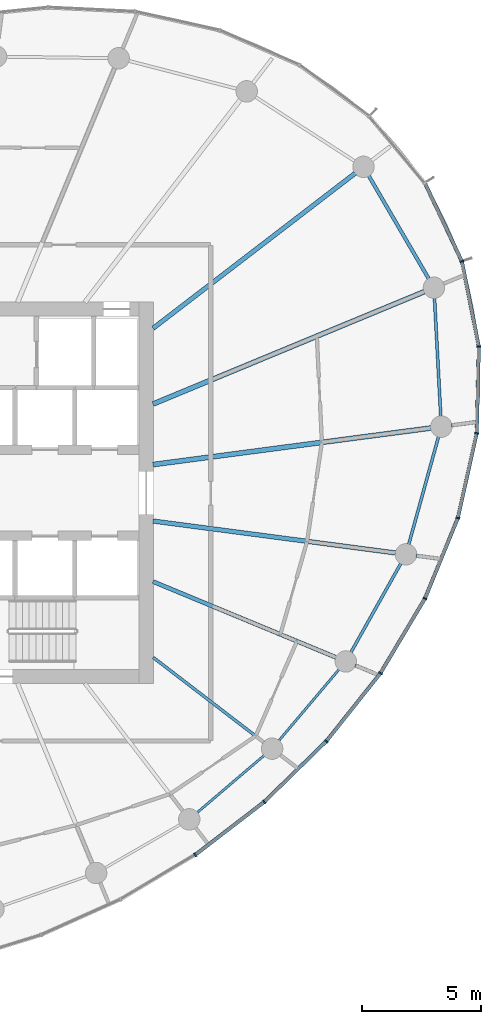
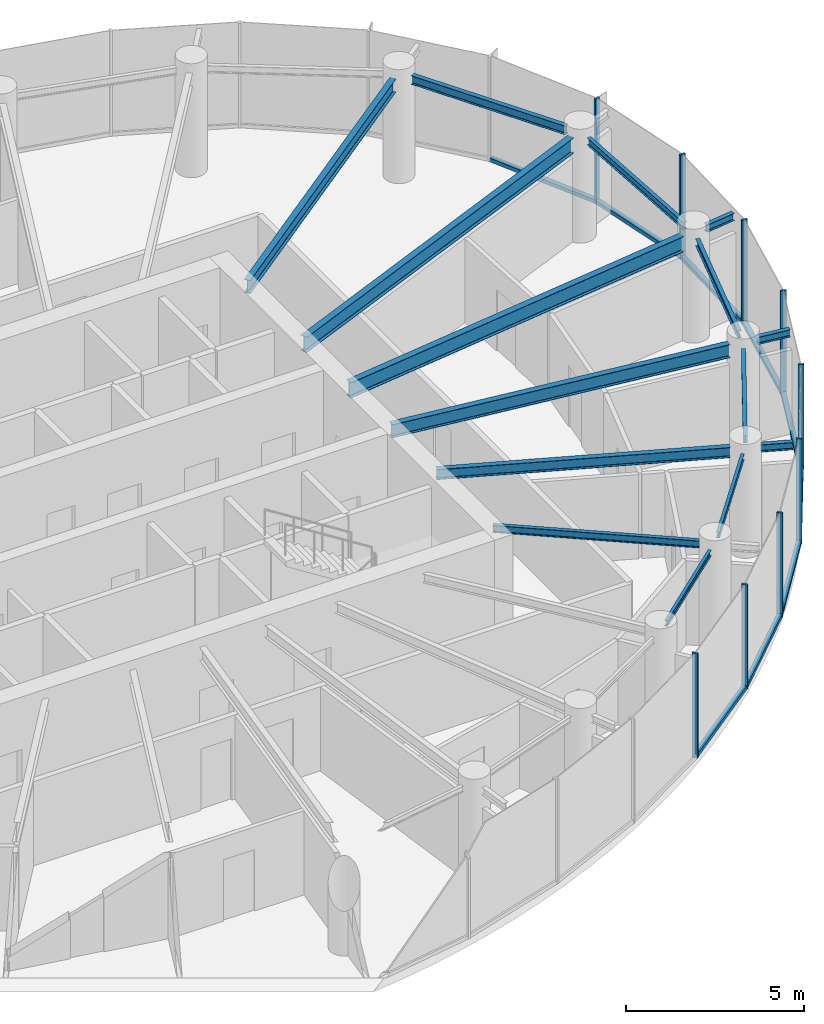
# One storey, part 5 of 15: 18 members, 15 beams, 2 elements without a shape of their own.
"""IFC4 building model written with IfcOpenShell, lengths in metres."""

from ifc_helpers import new_model, si_unit, direction, frame, origin, origin_2d, place, context, subcontext, project, spatial, rectangle, i_section, extrude, source, transform, mapped, material, layer, layer_set, material_profile, profile_set, type_object, element, aggregate, save


model = new_model("IFC4")

# Units and contexts
model_context = context("Model", 3, precision=1e-05, world=origin(), true_north=direction((0.0, 1.0)))
body_context = subcontext(model_context, "Body", "Model", "MODEL_VIEW")
ifc_project = project(units=[si_unit("LENGTHUNIT", "METRE"), si_unit("AREAUNIT", "SQUARE_METRE"), si_unit("VOLUMEUNIT", "CUBIC_METRE"), si_unit("PLANEANGLEUNIT", "RADIAN"), si_unit("MASSUNIT", "GRAM", prefix="KILO")], contexts=[model_context])

# Site, building, storey
site_placement = place(None, origin())
site = spatial("IfcSite", under=ifc_project, at=site_placement, CompositionType="ELEMENT")
building_placement = place(site_placement, origin())
building = spatial("IfcBuilding", under=site, at=building_placement, Name="Spindrift Exchange Tower", CompositionType="ELEMENT")
storey_placement = place(building_placement, frame((0.0, 0.0, 195.5)))
storey = spatial("IfcBuildingStorey", under=building, at=storey_placement, Name="L47", CompositionType="ELEMENT", Elevation=195.5)

# Beams
ifc_material_1 = material(Name="Steel Grade 300", Category="steel")
ifc_material_profile_1 = material_profile(ifc_material_1, i_section(OverallWidth=0.208984375, OverallDepth=0.528076171875, WebThickness=0.009521484375, FlangeThickness=0.01318359375, FilletRadius=0.013916015625, at=origin_2d()), Name="530UB82.0")
ifc_profile_set_1 = profile_set([ifc_material_profile_1], Name="Steel Grade 300")
beam_type_1 = type_object("IfcBeamType", Name="Floor Beam 530UB82.0 Steel Grade 300", PredefinedType="BEAM", material=ifc_profile_set_1)
shared_shape_1 = source(origin(), body_context, "Body", "SweptSolid", [
    extrude(i_section(OverallWidth=0.208984375, OverallDepth=0.528076171875, WebThickness=0.009521484375, FlangeThickness=0.01318359375, FilletRadius=0.013916015625, at=origin_2d()), origin(), (0.0, 0.0, 1.0), 11.75634765625),
])
beam_1_placement = place(storey_placement, frame((60.980224609375, 49.182373046875, 3.31591796875), z_axis=(0.991445811455, 0.13051897543, 0.0), x_axis=(-0.13051897543, 0.991445811455, 0.0)))
element("IfcBeam", 1, at=beam_1_placement, inside=storey, type_object=beam_type_1, Name="L47 radial beam R01A", PredefinedType="BEAM", context=body_context, shape_type="MappedRepresentation", body=[
    mapped(shared_shape_1, transform((0.0, 0.0, 0.0), scale=1.0)),
])
shared_shape_2 = source(origin(), body_context, "Body", "SweptSolid", [
    extrude(i_section(OverallWidth=0.208984375, OverallDepth=0.528076171875, WebThickness=0.009521484375, FlangeThickness=0.01318359375, FilletRadius=0.013916015625, at=origin_2d()), origin(), (0.0, 0.0, 1.0), 12.3115234375),
])
beam_2_placement = place(storey_placement, frame((60.9814453125, 51.72021484375, 3.31591796875), z_axis=(0.923878099838, 0.382686891126, 0.0), x_axis=(-0.382686891126, 0.923878099838, 0.0)))
element("IfcBeam", 2, at=beam_2_placement, inside=storey, type_object=beam_type_1, Name="L47 radial beam R02A", PredefinedType="BEAM", context=body_context, shape_type="MappedRepresentation", body=[
    mapped(shared_shape_2, transform((0.0, 0.0, 0.0), scale=1.0)),
])
ifc_material_profile_2 = material_profile(ifc_material_1, i_section(OverallWidth=0.18994140625, OverallDepth=0.4541015625, WebThickness=0.008544921875, FlangeThickness=0.0126953125, FilletRadius=0.013916015625, at=origin_2d()), Name="460UB67.1")
ifc_profile_set_2 = profile_set([ifc_material_profile_2], Name="Steel Grade 300")
beam_type_2 = type_object("IfcBeamType", Name="Floor Beam 460UB67.1 Steel Grade 300", PredefinedType="BEAM", material=ifc_profile_set_2)
shared_shape_3 = source(origin(), body_context, "Body", "SweptSolid", [
    extrude(i_section(OverallWidth=0.18994140625, OverallDepth=0.4541015625, WebThickness=0.008544921875, FlangeThickness=0.0126953125, FilletRadius=0.013916015625, at=origin_2d()), origin(), (0.0, 0.0, 1.0), 10.684814453125),
])
beam_3_placement = place(storey_placement, frame((60.984130859375, 54.893798828125, 3.35302734375), z_axis=(0.793357316898, 0.608756246559, 0.0), x_axis=(-0.608756246559, 0.793357316898, 0.0)))
element("IfcBeam", 3, at=beam_3_placement, inside=storey, type_object=beam_type_2, Name="L47 radial beam R03A", PredefinedType="BEAM", context=body_context, shape_type="MappedRepresentation", body=[
    mapped(shared_shape_3, transform((0.0, 0.0, 0.0), scale=1.0)),
])
ifc_material_profile_3 = material_profile(ifc_material_1, i_section(OverallWidth=0.1240234375, OverallDepth=0.248046875, WebThickness=0.0048828125, FlangeThickness=0.008056640625, FilletRadius=0.011962890625, at=origin_2d()), Name="250UB25.7")
ifc_profile_set_3 = profile_set([ifc_material_profile_3], Name="Steel Grade 300")
beam_type_3 = type_object("IfcBeamType", Name="Floor Beam 250UB25.7 Steel Grade 300", PredefinedType="BEAM", material=ifc_profile_set_3)
shared_shape_4 = source(origin(), body_context, "Body", "SweptSolid", [
    extrude(i_section(OverallWidth=0.1240234375, OverallDepth=0.248046875, WebThickness=0.0048828125, FlangeThickness=0.008056640625, FilletRadius=0.011962890625, at=origin_2d()), origin(), (0.0, 0.0, 1.0), 5.855712890625),
])
beam_4_placement = place(storey_placement, frame((60.984130859375, 41.106201171875, 3.4560546875), z_axis=(0.793362708479, -0.608749219954, 0.0), x_axis=(0.608749219954, 0.793362708479, 0.0)))
element("IfcBeam", 4, at=beam_4_placement, inside=storey, type_object=beam_type_3, Name="L47 radial beam R22A", PredefinedType="BEAM", context=body_context, shape_type="MappedRepresentation", body=[
    mapped(shared_shape_4, transform((0.0, 0.0, 0.0), scale=1.0)),
])
ifc_material_profile_4 = material_profile(ifc_material_1, i_section(OverallWidth=0.1708984375, OverallDepth=0.35205078125, WebThickness=0.0068359375, FlangeThickness=0.009765625, FilletRadius=0.013916015625, at=origin_2d()), Name="360UB44.7")
ifc_profile_set_4 = profile_set([ifc_material_profile_4], Name="Steel Grade 300")
beam_type_4 = type_object("IfcBeamType", Name="Floor Beam 360UB44.7 Steel Grade 300", PredefinedType="BEAM", material=ifc_profile_set_4)
shared_shape_5 = source(origin(), body_context, "Body", "SweptSolid", [
    extrude(i_section(OverallWidth=0.1708984375, OverallDepth=0.35205078125, WebThickness=0.0068359375, FlangeThickness=0.009765625, FilletRadius=0.013916015625, at=origin_2d()), origin(), (0.0, 0.0, 1.0), 8.3134765625),
])
beam_5_placement = place(storey_placement, frame((60.9814453125, 44.27978515625, 3.404052734375), z_axis=(0.923881179957, -0.382679455055, 0.0), x_axis=(0.382679455055, 0.923881179957, 0.0)))
element("IfcBeam", 5, at=beam_5_placement, inside=storey, type_object=beam_type_4, Name="L47 radial beam R23A", PredefinedType="BEAM", context=body_context, shape_type="MappedRepresentation", body=[
    mapped(shared_shape_5, transform((0.0, 0.0, 0.0), scale=1.0)),
])
shared_shape_6 = source(origin(), body_context, "Body", "SweptSolid", [
    extrude(i_section(OverallWidth=0.18994140625, OverallDepth=0.4541015625, WebThickness=0.008544921875, FlangeThickness=0.0126953125, FilletRadius=0.013916015625, at=origin_2d()), origin(), (0.0, 0.0, 1.0), 10.262451171875),
])
beam_6_placement = place(storey_placement, frame((60.980224609375, 46.817626953125, 3.35302734375), z_axis=(0.991446763371, -0.130511744304, 0.0), x_axis=(0.130511744304, 0.991446763371, 0.0)))
element("IfcBeam", 6, at=beam_6_placement, inside=storey, type_object=beam_type_2, Name="L47 radial beam R24A", PredefinedType="BEAM", context=body_context, shape_type="MappedRepresentation", body=[
    mapped(shared_shape_6, transform((0.0, 0.0, 0.0), scale=1.0)),
])
ifc_material_profile_5 = material_profile(ifc_material_1, i_section(OverallWidth=0.1240234375, OverallDepth=0.248046875, WebThickness=0.0048828125, FlangeThickness=0.008056640625, FilletRadius=0.011962890625, at=origin_2d()), Name="250UB25.7")
ifc_profile_set_5 = profile_set([ifc_material_profile_5], Name="Steel Grade 300")
beam_type_5 = type_object("IfcBeamType", Name="Edge Beam 250UB25.7 Steel Grade 300", PredefinedType="SPANDREL", material=ifc_profile_set_5)
shared_shape_7 = source(origin(), body_context, "Body", "SweptSolid", [
    extrude(i_section(OverallWidth=0.1240234375, OverallDepth=0.248046875, WebThickness=0.0048828125, FlangeThickness=0.008056640625, FilletRadius=0.011962890625, at=origin_2d()), origin(), (0.0, 0.0, 1.0), 4.971435546875),
])
beam_7_placement = place(storey_placement, frame((73.03955078125, 51.202392578125, 3.4560546875), z_axis=(-0.053038255124, 0.998592481192, 0.0), x_axis=(-0.998592481192, -0.053038255124, 0.0)))
element("IfcBeam", 7, at=beam_7_placement, inside=storey, type_object=beam_type_5, Name="L47 edge beam E01", PredefinedType="SPANDREL", context=body_context, shape_type="MappedRepresentation", body=[
    mapped(shared_shape_7, transform((0.0, 0.0, 0.0), scale=1.0)),
])
ifc_material_profile_6 = material_profile(ifc_material_1, i_section(OverallWidth=0.14892578125, OverallDepth=0.298095703125, WebThickness=0.005615234375, FlangeThickness=0.008056640625, FilletRadius=0.012939453125, at=origin_2d()), Name="310UB32.0")
ifc_profile_set_6 = profile_set([ifc_material_profile_6], Name="Steel Grade 300")
beam_type_6 = type_object("IfcBeamType", Name="Edge Beam 310UB32.0 Steel Grade 300", PredefinedType="SPANDREL", material=ifc_profile_set_6)
shared_shape_8 = source(origin(), body_context, "Body", "SweptSolid", [
    extrude(i_section(OverallWidth=0.14892578125, OverallDepth=0.298095703125, WebThickness=0.005615234375, FlangeThickness=0.008056640625, FilletRadius=0.012939453125, at=origin_2d()), origin(), (0.0, 0.0, 1.0), 5.0009765625),
])
beam_8_placement = place(storey_placement, frame((72.53662109375, 56.9677734375, 3.430908203125), z_axis=(-0.503512812094, 0.863987759205, 0.0), x_axis=(-0.863987759205, -0.503512812094, 0.0)))
element("IfcBeam", 8, at=beam_8_placement, inside=storey, type_object=beam_type_6, Name="L47 edge beam E02", PredefinedType="SPANDREL", context=body_context, shape_type="MappedRepresentation", body=[
    mapped(shared_shape_8, transform((0.0, 0.0, 0.0), scale=1.0)),
])
ifc_material_profile_7 = material_profile(ifc_material_1, i_section(OverallWidth=0.09912109375, OverallDepth=0.197998046875, WebThickness=0.00439453125, FlangeThickness=0.007080078125, FilletRadius=0.010986328125, at=origin_2d()), Name="200UB18.2")
ifc_profile_set_7 = profile_set([ifc_material_profile_7], Name="Steel Grade 300")
beam_type_7 = type_object("IfcBeamType", Name="Edge Beam 200UB18.2 Steel Grade 300", PredefinedType="SPANDREL", material=ifc_profile_set_7)
shared_shape_9 = source(origin(), body_context, "Body", "SweptSolid", [
    extrude(i_section(OverallWidth=0.09912109375, OverallDepth=0.197998046875, WebThickness=0.00439453125, FlangeThickness=0.007080078125, FilletRadius=0.010986328125, at=origin_2d()), origin(), (0.0, 0.0, 1.0), 3.703857421875),
])
beam_9_placement = place(storey_placement, frame((62.826416015625, 34.59619140625, 3.48095703125), z_axis=(0.7606692863, 0.64913961278, 0.0), x_axis=(-0.64913961278, 0.7606692863, 0.0)))
element("IfcBeam", 9, at=beam_9_placement, inside=storey, type_object=beam_type_7, Name="L47 edge beam E21", PredefinedType="SPANDREL", context=body_context, shape_type="MappedRepresentation", body=[
    mapped(shared_shape_9, transform((0.0, 0.0, 0.0), scale=1.0)),
])
shared_shape_10 = source(origin(), body_context, "Body", "SweptSolid", [
    extrude(i_section(OverallWidth=0.09912109375, OverallDepth=0.197998046875, WebThickness=0.00439453125, FlangeThickness=0.007080078125, FilletRadius=0.010986328125, at=origin_2d()), origin(), (0.0, 0.0, 1.0), 3.92431640625),
])
beam_10_placement = place(storey_placement, frame((66.24853515625, 37.608154296875, 3.48095703125), z_axis=(0.645498720032, 0.763761351757, 0.0), x_axis=(-0.763761351757, 0.645498720032, 0.0)))
element("IfcBeam", 10, at=beam_10_placement, inside=storey, type_object=beam_type_7, Name="L47 edge beam E22", PredefinedType="SPANDREL", context=body_context, shape_type="MappedRepresentation", body=[
    mapped(shared_shape_10, transform((0.0, 0.0, 0.0), scale=1.0)),
])
shared_shape_11 = source(origin(), body_context, "Body", "SweptSolid", [
    extrude(i_section(OverallWidth=0.1240234375, OverallDepth=0.248046875, WebThickness=0.0048828125, FlangeThickness=0.008056640625, FilletRadius=0.011962890625, at=origin_2d()), origin(), (0.0, 0.0, 1.0), 4.2880859375),
])
beam_11_placement = place(storey_placement, frame((69.27001953125, 41.30859375, 3.4560546875), z_axis=(0.489804347673, 0.871832381253, 0.0), x_axis=(-0.871832381253, 0.489804347673, 0.0)))
element("IfcBeam", 11, at=beam_11_placement, inside=storey, type_object=beam_type_5, Name="L47 edge beam E23", PredefinedType="SPANDREL", context=body_context, shape_type="MappedRepresentation", body=[
    mapped(shared_shape_11, transform((0.0, 0.0, 0.0), scale=1.0)),
])
shared_shape_12 = source(origin(), body_context, "Body", "SweptSolid", [
    extrude(i_section(OverallWidth=0.1240234375, OverallDepth=0.248046875, WebThickness=0.0048828125, FlangeThickness=0.008056640625, FilletRadius=0.011962890625, at=origin_2d()), origin(), (0.0, 0.0, 1.0), 4.69189453125),
])
beam_12_placement = place(storey_placement, frame((71.69580078125, 45.83642578125, 3.4560546875), z_axis=(0.266774248618, 0.963759046792, 0.0), x_axis=(-0.963759046792, 0.266774248618, 0.0)))
element("IfcBeam", 12, at=beam_12_placement, inside=storey, type_object=beam_type_5, Name="L47 edge beam E24", PredefinedType="SPANDREL", context=body_context, shape_type="MappedRepresentation", body=[
    mapped(shared_shape_12, transform((0.0, 0.0, 0.0), scale=1.0)),
])
ifc_material_profile_8 = material_profile(ifc_material_1, i_section(OverallWidth=0.14599609375, OverallDepth=0.251953125, WebThickness=0.006103515625, FlangeThickness=0.008544921875, FilletRadius=0.011962890625, at=origin_2d()), Name="250UB31.4")
ifc_profile_set_8 = profile_set([ifc_material_profile_8], Name="Steel Grade 300")
beam_type_8 = type_object("IfcBeamType", Name="Cantilever Beam 250UB31.4 Steel Grade 300", PredefinedType="BEAM", material=ifc_profile_set_8)
shared_shape_13 = source(origin(), body_context, "Body", "SweptSolid", [
    extrude(i_section(OverallWidth=0.14599609375, OverallDepth=0.251953125, WebThickness=0.006103515625, FlangeThickness=0.008544921875, FilletRadius=0.011962890625, at=origin_2d()), origin(), (0.0, 0.0, 1.0), 0.96142578125),
])
beam_13_placement = place(storey_placement, frame((73.488525390625, 50.8291015625, 3.4541015625), z_axis=(0.991443919805, 0.13053334395, 0.0), x_axis=(-0.13053334395, 0.991443919805, 0.0)))
element("IfcBeam", 13, at=beam_13_placement, inside=storey, type_object=beam_type_8, Name="L47 cantilever beam R01T", PredefinedType="BEAM", context=body_context, shape_type="MappedRepresentation", body=[
    mapped(shared_shape_13, transform((0.0, 0.0, 0.0), scale=1.0)),
])
shared_shape_14 = source(origin(), body_context, "Body", "SweptSolid", [
    extrude(i_section(OverallWidth=0.14599609375, OverallDepth=0.251953125, WebThickness=0.006103515625, FlangeThickness=0.008544921875, FilletRadius=0.011962890625, at=origin_2d()), origin(), (0.0, 0.0, 1.0), 0.907470703125),
])
beam_14_placement = place(storey_placement, frame((69.456787109375, 40.769287109375, 3.4541015625), z_axis=(0.923823345781, -0.382819050975, 0.0), x_axis=(0.382819050975, 0.923823345781, 0.0)))
element("IfcBeam", 14, at=beam_14_placement, inside=storey, type_object=beam_type_8, Name="L47 cantilever beam R23T", PredefinedType="BEAM", context=body_context, shape_type="MappedRepresentation", body=[
    mapped(shared_shape_14, transform((0.0, 0.0, 0.0), scale=1.0)),
])
shared_shape_15 = source(origin(), body_context, "Body", "SweptSolid", [
    extrude(i_section(OverallWidth=0.14599609375, OverallDepth=0.251953125, WebThickness=0.006103515625, FlangeThickness=0.008544921875, FilletRadius=0.011962890625, at=origin_2d()), origin(), (0.0, 0.0, 1.0), 0.975830078125),
])
beam_15_placement = place(storey_placement, frame((72.00732421875, 45.365966796875, 3.4541015625), z_axis=(0.99143640455, -0.130590412106, 0.0), x_axis=(0.130590412106, 0.99143640455, 0.0)))
element("IfcBeam", 15, at=beam_15_placement, inside=storey, type_object=beam_type_8, Name="L47 cantilever beam R24T", PredefinedType="BEAM", context=body_context, shape_type="MappedRepresentation", body=[
    mapped(shared_shape_15, transform((0.0, 0.0, 0.0), scale=1.0)),
])

# Curtain wall, members
ifc_material_2 = material(Name="Fritted laminated glass with bronze frame", Category="glass")
ifc_layer = layer(ifc_material_2, 0.169921875)
ifc_layer_set = layer_set([ifc_layer], Name="ZONE 4 BRONZE FRITTED WALL")
curtain_wall_type = type_object("IfcCurtainWallType", Name="ZONE 4 BRONZE FRITTED WALL", PredefinedType="NOTDEFINED", material=ifc_layer_set)
curtain_wall_1_placement = place(storey_placement, origin())
curtain_wall_1 = element("IfcCurtainWall", 16, at=curtain_wall_1_placement, inside=storey, type_object=curtain_wall_type, Name="L47 Zone 4 Bronze Fritted Wall run 5", PredefinedType="NOTDEFINED")
ifc_material_3 = material(Name="Bronze anodised aluminium", Category="aluminium")
ifc_material_profile_9 = material_profile(ifc_material_3, rectangle(XDim=0.14990234375, YDim=0.125, at=origin_2d()), Name="ZONE 4 BRONZE FRITTED WALL TRANSOM 150X125")
ifc_profile_set_9 = profile_set([ifc_material_profile_9], Name="Bronze anodised aluminium")
member_type_1 = type_object("IfcMemberType", Name="ZONE 4 BRONZE FRITTED WALL TRANSOM 150X125", PredefinedType="USERDEFINED", material=ifc_profile_set_9)
shared_shape_16 = source(origin(), body_context, "Body", "SweptSolid", [
    extrude(rectangle(XDim=0.14990234375, YDim=0.125, at=origin_2d()), origin(), (0.0, 0.0, 1.0), 3.57763671875),
])
member_1_placement = place(storey_placement, frame((62.776611328125, 32.8486328125, 0.0625), z_axis=(0.793143738991, 0.609034489417, 0.0), x_axis=(-0.609034489417, 0.793143738991, 0.0)))
member_1 = element("IfcMember", 17, at=member_1_placement, type_object=member_type_1, Name="L47 transom CW-4.29", ObjectType="TRANSOM", PredefinedType="USERDEFINED", context=body_context, shape_type="MappedRepresentation", body=[
    mapped(shared_shape_16, transform((0.0, 0.0, 0.0), scale=1.0)),
])
member_2_placement = place(storey_placement, frame((65.663330078125, 35.0703125, 0.0625), z_axis=(0.715315886077, 0.698801247227, 0.0), x_axis=(-0.698801247227, 0.715315886077, 0.0)))
member_2 = element("IfcMember", 18, at=member_2_placement, type_object=member_type_1, Name="L47 transom CW-4.30", ObjectType="TRANSOM", PredefinedType="USERDEFINED", context=body_context, shape_type="MappedRepresentation", body=[
    mapped(shared_shape_16, transform((0.0, 0.0, 0.0), scale=1.0)),
])

curtain_wall_2_placement = place(storey_placement, origin())
curtain_wall_2 = element("IfcCurtainWall", 19, at=curtain_wall_2_placement, inside=storey, type_object=curtain_wall_type, Name="L47 Zone 4 Bronze Fritted Wall run 6", PredefinedType="NOTDEFINED")
shared_shape_17 = source(origin(), body_context, "Body", "SweptSolid", [
    extrude(rectangle(XDim=0.14990234375, YDim=0.125, at=origin_2d()), origin(), (0.0, 0.0, 1.0), 3.570068359375),
])
member_3_placement = place(storey_placement, frame((73.910888671875, 57.728271484375, 0.0625), z_axis=(-0.426718939743, 0.904384291363, 0.0), x_axis=(-0.904384291363, -0.426718939743, 0.0)))
member_3 = element("IfcMember", 20, at=member_3_placement, type_object=member_type_1, Name="L47 transom CW-4.37", ObjectType="TRANSOM", PredefinedType="USERDEFINED", context=body_context, shape_type="MappedRepresentation", body=[
    mapped(shared_shape_17, transform((0.0, 0.0, 0.0), scale=1.0)),
])
shared_shape_18 = source(origin(), body_context, "Body", "SweptSolid", [
    extrude(rectangle(XDim=0.14990234375, YDim=0.125, at=origin_2d()), origin(), (0.0, 0.0, 1.0), 3.577392578125),
])
member_4_placement = place(storey_placement, frame((68.265869140625, 37.618408203125, 0.0625), z_axis=(0.622737281072, 0.782431005753, 0.0), x_axis=(-0.782431005753, 0.622737281072, 0.0)))
member_4 = element("IfcMember", 21, at=member_4_placement, type_object=member_type_1, Name="L47 transom CW-4.31", ObjectType="TRANSOM", PredefinedType="USERDEFINED", context=body_context, shape_type="MappedRepresentation", body=[
    mapped(shared_shape_18, transform((0.0, 0.0, 0.0), scale=1.0)),
])

# Member
ifc_material_profile_10 = material_profile(ifc_material_3, rectangle(XDim=0.06494140625, YDim=0.169921875, at=origin_2d()), Name="ZONE 4 BRONZE FRITTED WALL MULLION 65X170")
ifc_profile_set_10 = profile_set([ifc_material_profile_10], Name="Bronze anodised aluminium")
member_type_2 = type_object("IfcMemberType", Name="ZONE 4 BRONZE FRITTED WALL MULLION 65X170", PredefinedType="MULLION", material=ifc_profile_set_10)
shared_shape_19 = source(origin(), body_context, "Body", "SweptSolid", [
    extrude(rectangle(XDim=0.06494140625, YDim=0.169921875, at=origin_2d()), origin(), (0.0, 0.0, 1.0), 3.580078125),
])
member_5_placement = place(storey_placement, frame((62.750732421875, 32.828857421875, 0.0), z_axis=(0.0, 0.0, 1.0), x_axis=(0.827229808752, 0.561863723256, 0.0)))
member_5 = element("IfcMember", 22, at=member_5_placement, type_object=member_type_2, Name="L47 mullion CW-4.29", PredefinedType="MULLION", context=body_context, shape_type="MappedRepresentation", body=[
    mapped(shared_shape_19, transform((0.0, 0.0, 0.0), scale=1.0)),
])

member_6_placement = place(storey_placement, frame((65.639892578125, 35.047607421875, 0.0), z_axis=(0.0, 0.0, 1.0), x_axis=(0.755556351531, 0.655083658521, 0.0)))
member_6 = element("IfcMember", 23, at=member_6_placement, type_object=member_type_2, Name="L47 mullion CW-4.30", PredefinedType="MULLION", context=body_context, shape_type="MappedRepresentation", body=[
    mapped(shared_shape_19, transform((0.0, 0.0, 0.0), scale=1.0)),
])

aggregate(curtain_wall_1, [member_5, member_1, member_6, member_2])

member_7_placement = place(storey_placement, frame((68.24560546875, 37.593017578125, 0.0), z_axis=(0.0, 0.0, 1.0), x_axis=(0.670318672522, 0.742073363805, 0.0)))
member_7 = element("IfcMember", 24, at=member_7_placement, type_object=member_type_2, Name="L47 mullion CW-4.31", PredefinedType="MULLION", context=body_context, shape_type="MappedRepresentation", body=[
    mapped(shared_shape_19, transform((0.0, 0.0, 0.0), scale=1.0)),
])

member_8_placement = place(storey_placement, frame((70.513916015625, 40.443115234375, 0.0), z_axis=(0.0, 0.0, 1.0), x_axis=(0.568604518925, 0.822611026584, 0.0)))
member_8 = element("IfcMember", 25, at=member_8_placement, type_object=member_type_2, Name="L47 mullion CW-4.32", PredefinedType="MULLION", context=body_context, shape_type="MappedRepresentation", body=[
    mapped(shared_shape_19, transform((0.0, 0.0, 0.0), scale=1.0)),
])

member_9_placement = place(storey_placement, frame((72.378173828125, 43.571533203125, 0.0), z_axis=(0.0, 0.0, 1.0), x_axis=(0.446363113158, 0.894851926975, 0.0)))
member_9 = element("IfcMember", 26, at=member_9_placement, type_object=member_type_2, Name="L47 mullion CW-4.33", PredefinedType="MULLION", context=body_context, shape_type="MappedRepresentation", body=[
    mapped(shared_shape_19, transform((0.0, 0.0, 0.0), scale=1.0)),
])

member_10_placement = place(storey_placement, frame((73.755615234375, 46.94189453125, 0.0), z_axis=(0.0, 0.0, 1.0), x_axis=(0.298749687244, 0.954331506538, 0.0)))
member_10 = element("IfcMember", 27, at=member_10_placement, type_object=member_type_2, Name="L47 mullion CW-4.34", PredefinedType="MULLION", context=body_context, shape_type="MappedRepresentation", body=[
    mapped(shared_shape_19, transform((0.0, 0.0, 0.0), scale=1.0)),
])

member_11_placement = place(storey_placement, frame((74.545654296875, 50.4951171875, 0.0), z_axis=(0.0, 0.0, 1.0), x_axis=(0.121416210958, 0.992601684321, 0.0)))
member_11 = element("IfcMember", 28, at=member_11_placement, type_object=member_type_2, Name="L47 mullion CW-4.35", PredefinedType="MULLION", context=body_context, shape_type="MappedRepresentation", body=[
    mapped(shared_shape_19, transform((0.0, 0.0, 0.0), scale=1.0)),
])

member_12_placement = place(storey_placement, frame((74.63525390625, 54.13232421875, 0.0), z_axis=(0.0, 0.0, 1.0), x_axis=(-0.085899358392, 0.996303819238, 0.0)))
member_12 = element("IfcMember", 29, at=member_12_placement, type_object=member_type_2, Name="L47 mullion CW-4.36", PredefinedType="MULLION", context=body_context, shape_type="MappedRepresentation", body=[
    mapped(shared_shape_19, transform((0.0, 0.0, 0.0), scale=1.0)),
])

member_13_placement = place(storey_placement, frame((73.9248046875, 57.69873046875, 0.0), z_axis=(0.0, 0.0, 1.0), x_axis=(-0.313388043155, 0.949625154683, 0.0)))
member_13 = element("IfcMember", 30, at=member_13_placement, type_object=member_type_2, Name="L47 mullion CW-4.37", PredefinedType="MULLION", context=body_context, shape_type="MappedRepresentation", body=[
    mapped(shared_shape_19, transform((0.0, 0.0, 0.0), scale=1.0)),
])

shared_shape_20 = source(origin(), body_context, "Body", "SweptSolid", [
    extrude(rectangle(XDim=0.14990234375, YDim=0.125, at=origin_2d()), origin(), (0.0, 0.0, 1.0), 3.576904296875),
])
member_14_placement = place(storey_placement, frame((70.530517578125, 40.470947265625, 0.0625), z_axis=(0.511903778336, 0.859042793885, 0.0), x_axis=(-0.859042793885, 0.511903778336, 0.0)))
member_14 = element("IfcMember", 31, at=member_14_placement, type_object=member_type_1, Name="L47 transom CW-4.32", ObjectType="TRANSOM", PredefinedType="USERDEFINED", context=body_context, shape_type="MappedRepresentation", body=[
    mapped(shared_shape_20, transform((0.0, 0.0, 0.0), scale=1.0)),
])

shared_shape_21 = source(origin(), body_context, "Body", "SweptSolid", [
    extrude(rectangle(XDim=0.14990234375, YDim=0.125, at=origin_2d()), origin(), (0.0, 0.0, 1.0), 3.5732421875),
])
member_15_placement = place(storey_placement, frame((74.54638671875, 50.527587890625, 0.0625), z_axis=(0.02466444634, 0.99969578627, 0.0), x_axis=(-0.99969578627, 0.02466444634, 0.0)))
member_15 = element("IfcMember", 32, at=member_15_placement, type_object=member_type_1, Name="L47 transom CW-4.35", ObjectType="TRANSOM", PredefinedType="USERDEFINED", context=body_context, shape_type="MappedRepresentation", body=[
    mapped(shared_shape_21, transform((0.0, 0.0, 0.0), scale=1.0)),
])

shared_shape_22 = source(origin(), body_context, "Body", "SweptSolid", [
    extrude(rectangle(XDim=0.14990234375, YDim=0.125, at=origin_2d()), origin(), (0.0, 0.0, 1.0), 3.574951171875),
])
member_16_placement = place(storey_placement, frame((73.7626953125, 46.9736328125, 0.0625), z_axis=(0.217031689366, 0.976164558776, 0.0), x_axis=(-0.976164558776, 0.217031689366, 0.0)))
member_16 = element("IfcMember", 33, at=member_16_placement, type_object=member_type_1, Name="L47 transom CW-4.34", ObjectType="TRANSOM", PredefinedType="USERDEFINED", context=body_context, shape_type="MappedRepresentation", body=[
    mapped(shared_shape_22, transform((0.0, 0.0, 0.0), scale=1.0)),
])

shared_shape_23 = source(origin(), body_context, "Body", "SweptSolid", [
    extrude(rectangle(XDim=0.14990234375, YDim=0.125, at=origin_2d()), origin(), (0.0, 0.0, 1.0), 3.576171875),
])
member_17_placement = place(storey_placement, frame((72.390380859375, 43.6015625, 0.0625), z_axis=(0.378348392614, 0.925663272366, 0.0), x_axis=(-0.925663272366, 0.378348392614, 0.0)))
member_17 = element("IfcMember", 34, at=member_17_placement, type_object=member_type_1, Name="L47 transom CW-4.33", ObjectType="TRANSOM", PredefinedType="USERDEFINED", context=body_context, shape_type="MappedRepresentation", body=[
    mapped(shared_shape_23, transform((0.0, 0.0, 0.0), scale=1.0)),
])

shared_shape_24 = source(origin(), body_context, "Body", "SweptSolid", [
    extrude(rectangle(XDim=0.14990234375, YDim=0.125, at=origin_2d()), origin(), (0.0, 0.0, 1.0), 3.57177734375),
])
member_18_placement = place(storey_placement, frame((74.62890625, 54.1640625, 0.0625), z_axis=(-0.195353673894, 0.9807328597, 0.0), x_axis=(-0.9807328597, -0.195353673894, 0.0)))
member_18 = element("IfcMember", 35, at=member_18_placement, type_object=member_type_1, Name="L47 transom CW-4.36", ObjectType="TRANSOM", PredefinedType="USERDEFINED", context=body_context, shape_type="MappedRepresentation", body=[
    mapped(shared_shape_24, transform((0.0, 0.0, 0.0), scale=1.0)),
])

aggregate(curtain_wall_2, [member_7, member_4, member_8, member_14, member_9, member_17, member_10, member_16, member_11, member_15, member_12, member_18, member_13, member_3])

save(model, "model.ifc")
